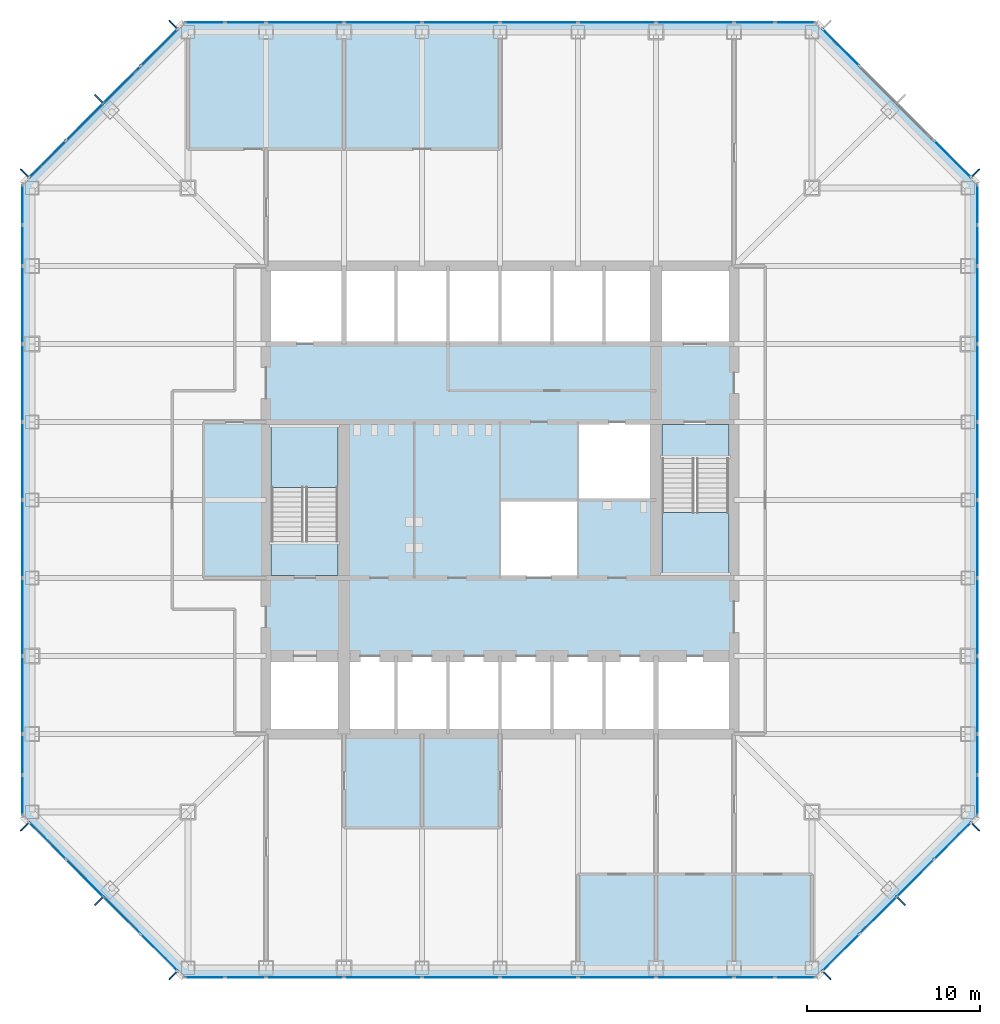
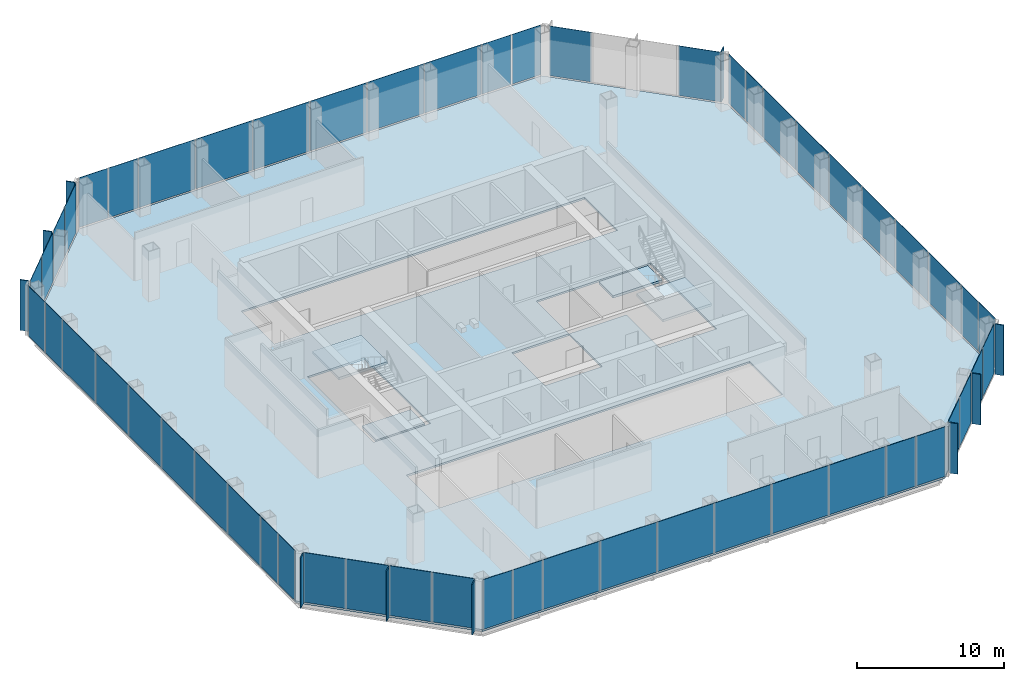
# One storey, part 7 of 12: 64 plates, 5 slabs, 10 elements without a shape of their own.
"""IFC4 building model written with IfcOpenShell, lengths in metres."""

from ifc_helpers import new_model, si_unit, direction, frame, origin, origin_2d, place, context, subcontext, project, spatial, polyline, rectangle, outline, extrude, material, layer, layer_set, type_object, element, aggregate, save


model = new_model("IFC4")

# Units and contexts
model_context = context("Model", 3, precision=1e-05, world=origin(), true_north=direction((0.0, 1.0)))
body_context = subcontext(model_context, "Body", "Model", "MODEL_VIEW")
ifc_project = project(units=[si_unit("LENGTHUNIT", "METRE"), si_unit("AREAUNIT", "SQUARE_METRE"), si_unit("VOLUMEUNIT", "CUBIC_METRE"), si_unit("PLANEANGLEUNIT", "RADIAN"), si_unit("MASSUNIT", "GRAM", prefix="KILO")], contexts=[model_context])

# Site, building, storey
site_placement = place(None, origin())
site = spatial("IfcSite", under=ifc_project, at=site_placement, CompositionType="ELEMENT")
building_placement = place(site_placement, origin())
building = spatial("IfcBuilding", under=site, at=building_placement, Name="Corais Broadcast Tower", CompositionType="ELEMENT")
storey_placement = place(building_placement, frame((0.0, 0.0, 50.0)))
storey = spatial("IfcBuildingStorey", under=building, at=storey_placement, Name="L10", CompositionType="ELEMENT", Elevation=50.0)

# Slab
ifc_material_1 = material(Name="Concrete C30/37", Category="concrete")
ifc_layer_1 = layer(ifc_material_1, 0.159912109375)
ifc_layer_set_1 = layer_set([ifc_layer_1], Name="Concrete C30/37")
slab_type_1 = type_object("IfcSlabType", Name="Composite floor slab 160", PredefinedType="FLOOR", material=ifc_layer_set_1)
slab_1_placement = place(storey_placement, frame((0.0, 0.0, -0.159912109375)))
element("IfcSlab", 1, at=slab_1_placement, inside=storey, type_object=slab_type_1, Name="S160 floor slab L10", PredefinedType="FLOOR", context=body_context, shape_type="SweptSolid", body=[
    extrude(outline(polyline([(8.80126953125, -0.47998046875), (-0.47998046875, 8.80126953125), (-0.47998046875, 45.19873046875), (8.80126953125, 54.47998046875), (45.19873046875, 54.47998046875), (54.47998046875, 45.19873046875), (54.47998046875, 8.80126953125), (45.19873046875, -0.47998046875), (8.80126953125, -0.47998046875)]), holes=[polyline([(13.5, 18.0), (40.5, 18.0), (40.5, 13.5), (13.5, 13.5), (13.5, 18.0)]), polyline([(13.5, 22.5), (13.5, 31.5), (18.0, 31.5), (18.0, 22.5), (13.5, 22.5)]), polyline([(13.5, 40.5), (40.5, 40.5), (40.5, 36.0), (13.5, 36.0), (13.5, 40.5)]), polyline([(27.0, 22.5), (27.0, 27.0), (31.4951171875, 27.0), (31.4951171875, 27.0048828125), (31.5, 27.0048828125), (31.5, 31.5), (40.5, 31.5), (40.5, 22.5), (36.0, 22.5), (36.0, 27.0), (31.5048828125, 27.0), (31.5048828125, 26.9951171875), (31.5, 26.9951171875), (31.5, 22.5), (27.0, 22.5)])]), origin(), (0.0, 0.0, 1.0), 0.159912109375),
])

# Curtain wall, plates
ifc_material_2 = material(Name="Aluminium and glass", Category="aluminium")
curtain_wall_type = type_object("IfcCurtainWallType", Name="Unitised fritted curtain wall CW1", PredefinedType="NOTDEFINED", material=ifc_material_2)
curtain_wall_1_placement = place(storey_placement, origin())
curtain_wall_1 = element("IfcCurtainWall", 2, at=curtain_wall_1_placement, inside=storey, type_object=curtain_wall_type, Name="CW1 curtain wall L10 1", PredefinedType="NOTDEFINED")
ifc_material_3 = material(Name="Ceramic-fritted laminated glass", Category="glass")
ifc_layer_2 = layer(ifc_material_3, 0.030029296875)
ifc_layer_set_2 = layer_set([ifc_layer_2], Name="Ceramic-fritted laminated glass")
plate_type_1 = type_object("IfcPlateType", Name="Fritted glass panel CW1", PredefinedType="CURTAIN_PANEL", material=ifc_layer_set_2)
plate_1_placement = place(storey_placement, frame((7.330322265625, 0.891845703125, 0.06494140625), z_axis=(0.0, 0.0, 1.0), x_axis=(-0.707106781187, 0.707106781187, 0.0)))
plate_1 = element("IfcPlate", 3, at=plate_1_placement, type_object=plate_type_1, Name="CW1 panel 1", PredefinedType="CURTAIN_PANEL", context=body_context, shape_type="SweptSolid", body=[
    extrude(rectangle(XDim=2.9482421875, YDim=0.030029296875, at=origin_2d()), origin(), (0.0, 0.0, 1.0), 4.135009765625),
])
plate_2_placement = place(storey_placement, frame((3.0341796875, 5.18798828125, 0.06494140625), z_axis=(0.0, 0.0, 1.0), x_axis=(-0.707106781187, 0.707106781187, 0.0)))
plate_2 = element("IfcPlate", 4, at=plate_2_placement, type_object=plate_type_1, Name="CW1 panel 3", PredefinedType="CURTAIN_PANEL", context=body_context, shape_type="SweptSolid", body=[
    extrude(rectangle(XDim=2.98095703125, YDim=0.030029296875, at=origin_2d()), origin(), (0.0, 0.0, 1.0), 4.135009765625),
])

curtain_wall_2_placement = place(storey_placement, origin())
curtain_wall_2 = element("IfcCurtainWall", 5, at=curtain_wall_2_placement, inside=storey, type_object=curtain_wall_type, Name="CW1 curtain wall L10 2", PredefinedType="NOTDEFINED")
plate_3_placement = place(storey_placement, frame((-0.550048828125, 9.970458984375, 0.06494140625), z_axis=(0.0, 0.0, 1.0), x_axis=(0.0, 1.0, 0.0)))
plate_3 = element("IfcPlate", 6, at=plate_3_placement, type_object=plate_type_1, Name="CW1 panel 1", PredefinedType="CURTAIN_PANEL", context=body_context, shape_type="SweptSolid", body=[
    extrude(rectangle(XDim=2.266357421875, YDim=0.030029296875, at=origin_2d()), origin(), (0.0, 0.0, 1.0), 4.135009765625),
])
plate_4_placement = place(storey_placement, frame((-0.550048828125, 15.75, 0.06494140625), z_axis=(0.0, 0.0, 1.0), x_axis=(0.0, 1.0, 0.0)))
plate_4 = element("IfcPlate", 7, at=plate_4_placement, type_object=plate_type_1, Name="CW1 panel 3", PredefinedType="CURTAIN_PANEL", context=body_context, shape_type="SweptSolid", body=[
    extrude(rectangle(XDim=4.43505859375, YDim=0.030029296875, at=origin_2d()), origin(), (0.0, 0.0, 1.0), 4.135009765625),
])
plate_5_placement = place(storey_placement, frame((-0.550048828125, 24.75, 0.06494140625), z_axis=(0.0, 0.0, 1.0), x_axis=(0.0, 1.0, 0.0)))
plate_5 = element("IfcPlate", 8, at=plate_5_placement, type_object=plate_type_1, Name="CW1 panel 5", PredefinedType="CURTAIN_PANEL", context=body_context, shape_type="SweptSolid", body=[
    extrude(rectangle(XDim=4.43505859375, YDim=0.030029296875, at=origin_2d()), origin(), (0.0, 0.0, 1.0), 4.135009765625),
])
plate_6_placement = place(storey_placement, frame((-0.550048828125, 33.75, 0.06494140625), z_axis=(0.0, 0.0, 1.0), x_axis=(0.0, 1.0, 0.0)))
plate_6 = element("IfcPlate", 9, at=plate_6_placement, type_object=plate_type_1, Name="CW1 panel 7", PredefinedType="CURTAIN_PANEL", context=body_context, shape_type="SweptSolid", body=[
    extrude(rectangle(XDim=4.43505859375, YDim=0.030029296875, at=origin_2d()), origin(), (0.0, 0.0, 1.0), 4.135009765625),
])
plate_7_placement = place(storey_placement, frame((-0.550048828125, 41.681884765625, 0.06494140625), z_axis=(0.0, 0.0, 1.0), x_axis=(0.0, 1.0, 0.0)))
plate_7 = element("IfcPlate", 10, at=plate_7_placement, type_object=plate_type_1, Name="CW1 panel 9", PredefinedType="CURTAIN_PANEL", context=body_context, shape_type="SweptSolid", body=[
    extrude(rectangle(XDim=2.298828125, YDim=0.030029296875, at=origin_2d()), origin(), (0.0, 0.0, 1.0), 4.135009765625),
])

curtain_wall_3_placement = place(storey_placement, origin())
curtain_wall_3 = element("IfcCurtainWall", 11, at=curtain_wall_3_placement, inside=storey, type_object=curtain_wall_type, Name="CW1 curtain wall L10 3", PredefinedType="NOTDEFINED")
plate_8_placement = place(storey_placement, frame((0.891845703125, 46.669677734375, 0.06494140625), z_axis=(0.0, 0.0, 1.0), x_axis=(0.707106781187, 0.707106781187, 0.0)))
plate_8 = element("IfcPlate", 12, at=plate_8_placement, type_object=plate_type_1, Name="CW1 panel 1", PredefinedType="CURTAIN_PANEL", context=body_context, shape_type="SweptSolid", body=[
    extrude(rectangle(XDim=2.9482421875, YDim=0.030029296875, at=origin_2d()), origin(), (0.0, 0.0, 1.0), 4.135009765625),
])
plate_9_placement = place(storey_placement, frame((5.18798828125, 50.9658203125, 0.06494140625), z_axis=(0.0, 0.0, 1.0), x_axis=(0.707106781187, 0.707106781187, 0.0)))
plate_9 = element("IfcPlate", 13, at=plate_9_placement, type_object=plate_type_1, Name="CW1 panel 3", PredefinedType="CURTAIN_PANEL", context=body_context, shape_type="SweptSolid", body=[
    extrude(rectangle(XDim=2.98095703125, YDim=0.030029296875, at=origin_2d()), origin(), (0.0, 0.0, 1.0), 4.135009765625),
])

curtain_wall_4_placement = place(storey_placement, origin())
curtain_wall_4 = element("IfcCurtainWall", 14, at=curtain_wall_4_placement, inside=storey, type_object=curtain_wall_type, Name="CW1 curtain wall L10 4", PredefinedType="NOTDEFINED")
plate_10_placement = place(storey_placement, frame((9.970458984375, 54.550048828125, 0.06494140625), z_axis=(0.0, 0.0, 1.0), x_axis=(1.0, 0.0, 0.0)))
plate_10 = element("IfcPlate", 15, at=plate_10_placement, type_object=plate_type_1, Name="CW1 panel 1", PredefinedType="CURTAIN_PANEL", context=body_context, shape_type="SweptSolid", body=[
    extrude(rectangle(XDim=2.266357421875, YDim=0.030029296875, at=origin_2d()), origin(), (0.0, 0.0, 1.0), 4.135009765625),
])
plate_11_placement = place(storey_placement, frame((15.75, 54.550048828125, 0.06494140625), z_axis=(0.0, 0.0, 1.0), x_axis=(1.0, 0.0, 0.0)))
plate_11 = element("IfcPlate", 16, at=plate_11_placement, type_object=plate_type_1, Name="CW1 panel 3", PredefinedType="CURTAIN_PANEL", context=body_context, shape_type="SweptSolid", body=[
    extrude(rectangle(XDim=4.43505859375, YDim=0.030029296875, at=origin_2d()), origin(), (0.0, 0.0, 1.0), 4.135009765625),
])
plate_12_placement = place(storey_placement, frame((24.75, 54.550048828125, 0.06494140625), z_axis=(0.0, 0.0, 1.0), x_axis=(1.0, 0.0, 0.0)))
plate_12 = element("IfcPlate", 17, at=plate_12_placement, type_object=plate_type_1, Name="CW1 panel 5", PredefinedType="CURTAIN_PANEL", context=body_context, shape_type="SweptSolid", body=[
    extrude(rectangle(XDim=4.43505859375, YDim=0.030029296875, at=origin_2d()), origin(), (0.0, 0.0, 1.0), 4.135009765625),
])
plate_13_placement = place(storey_placement, frame((33.75, 54.550048828125, 0.06494140625), z_axis=(0.0, 0.0, 1.0), x_axis=(1.0, 0.0, 0.0)))
plate_13 = element("IfcPlate", 18, at=plate_13_placement, type_object=plate_type_1, Name="CW1 panel 7", PredefinedType="CURTAIN_PANEL", context=body_context, shape_type="SweptSolid", body=[
    extrude(rectangle(XDim=4.43505859375, YDim=0.030029296875, at=origin_2d()), origin(), (0.0, 0.0, 1.0), 4.135009765625),
])
plate_14_placement = place(storey_placement, frame((41.681884765625, 54.550048828125, 0.06494140625), z_axis=(0.0, 0.0, 1.0), x_axis=(1.0, 0.0, 0.0)))
plate_14 = element("IfcPlate", 19, at=plate_14_placement, type_object=plate_type_1, Name="CW1 panel 9", PredefinedType="CURTAIN_PANEL", context=body_context, shape_type="SweptSolid", body=[
    extrude(rectangle(XDim=2.298828125, YDim=0.030029296875, at=origin_2d()), origin(), (0.0, 0.0, 1.0), 4.135009765625),
])

# Curtain wall, plate
curtain_wall_5_placement = place(storey_placement, origin())
curtain_wall_5 = element("IfcCurtainWall", 20, at=curtain_wall_5_placement, inside=storey, type_object=curtain_wall_type, Name="CW1 curtain wall L10 5", PredefinedType="NOTDEFINED")
plate_15_placement = place(storey_placement, frame((46.669677734375, 53.108154296875, 0.06494140625), z_axis=(0.0, 0.0, 1.0), x_axis=(0.707106781187, -0.707106781187, 0.0)))
plate_15 = element("IfcPlate", 21, at=plate_15_placement, type_object=plate_type_1, Name="CW1 panel 1", PredefinedType="CURTAIN_PANEL", context=body_context, shape_type="SweptSolid", body=[
    extrude(rectangle(XDim=2.9482421875, YDim=0.030029296875, at=origin_2d()), origin(), (0.0, 0.0, 1.0), 4.135009765625),
])

# Curtain wall, plates
curtain_wall_6_placement = place(storey_placement, origin())
curtain_wall_6 = element("IfcCurtainWall", 22, at=curtain_wall_6_placement, inside=storey, type_object=curtain_wall_type, Name="CW1 curtain wall L10 6", PredefinedType="NOTDEFINED")
plate_16_placement = place(storey_placement, frame((54.550048828125, 44.029541015625, 0.06494140625), z_axis=(0.0, 0.0, 1.0), x_axis=(0.0, -1.0, 0.0)))
plate_16 = element("IfcPlate", 23, at=plate_16_placement, type_object=plate_type_1, Name="CW1 panel 1", PredefinedType="CURTAIN_PANEL", context=body_context, shape_type="SweptSolid", body=[
    extrude(rectangle(XDim=2.266357421875, YDim=0.030029296875, at=origin_2d()), origin(), (0.0, 0.0, 1.0), 4.135009765625),
])
plate_17_placement = place(storey_placement, frame((54.550048828125, 38.25, 0.06494140625), z_axis=(0.0, 0.0, 1.0), x_axis=(0.0, -1.0, 0.0)))
plate_17 = element("IfcPlate", 24, at=plate_17_placement, type_object=plate_type_1, Name="CW1 panel 3", PredefinedType="CURTAIN_PANEL", context=body_context, shape_type="SweptSolid", body=[
    extrude(rectangle(XDim=4.43505859375, YDim=0.030029296875, at=origin_2d()), origin(), (0.0, 0.0, 1.0), 4.135009765625),
])
plate_18_placement = place(storey_placement, frame((54.550048828125, 29.25, 0.06494140625), z_axis=(0.0, 0.0, 1.0), x_axis=(0.0, -1.0, 0.0)))
plate_18 = element("IfcPlate", 25, at=plate_18_placement, type_object=plate_type_1, Name="CW1 panel 5", PredefinedType="CURTAIN_PANEL", context=body_context, shape_type="SweptSolid", body=[
    extrude(rectangle(XDim=4.43505859375, YDim=0.030029296875, at=origin_2d()), origin(), (0.0, 0.0, 1.0), 4.135009765625),
])
plate_19_placement = place(storey_placement, frame((54.550048828125, 20.25, 0.06494140625), z_axis=(0.0, 0.0, 1.0), x_axis=(0.0, -1.0, 0.0)))
plate_19 = element("IfcPlate", 26, at=plate_19_placement, type_object=plate_type_1, Name="CW1 panel 7", PredefinedType="CURTAIN_PANEL", context=body_context, shape_type="SweptSolid", body=[
    extrude(rectangle(XDim=4.43505859375, YDim=0.030029296875, at=origin_2d()), origin(), (0.0, 0.0, 1.0), 4.135009765625),
])
plate_20_placement = place(storey_placement, frame((54.550048828125, 12.318115234375, 0.06494140625), z_axis=(0.0, 0.0, 1.0), x_axis=(0.0, -1.0, 0.0)))
plate_20 = element("IfcPlate", 27, at=plate_20_placement, type_object=plate_type_1, Name="CW1 panel 9", PredefinedType="CURTAIN_PANEL", context=body_context, shape_type="SweptSolid", body=[
    extrude(rectangle(XDim=2.298828125, YDim=0.030029296875, at=origin_2d()), origin(), (0.0, 0.0, 1.0), 4.135009765625),
])

curtain_wall_7_placement = place(storey_placement, origin())
curtain_wall_7 = element("IfcCurtainWall", 28, at=curtain_wall_7_placement, inside=storey, type_object=curtain_wall_type, Name="CW1 curtain wall L10 7", PredefinedType="NOTDEFINED")
plate_21_placement = place(storey_placement, frame((53.108154296875, 7.330322265625, 0.06494140625), z_axis=(0.0, 0.0, 1.0), x_axis=(-0.707106781187, -0.707106781187, 0.0)))
plate_21 = element("IfcPlate", 29, at=plate_21_placement, type_object=plate_type_1, Name="CW1 panel 1", PredefinedType="CURTAIN_PANEL", context=body_context, shape_type="SweptSolid", body=[
    extrude(rectangle(XDim=2.9482421875, YDim=0.030029296875, at=origin_2d()), origin(), (0.0, 0.0, 1.0), 4.135009765625),
])
plate_22_placement = place(storey_placement, frame((48.81201171875, 3.0341796875, 0.06494140625), z_axis=(0.0, 0.0, 1.0), x_axis=(-0.707106781187, -0.707106781187, 0.0)))
plate_22 = element("IfcPlate", 30, at=plate_22_placement, type_object=plate_type_1, Name="CW1 panel 3", PredefinedType="CURTAIN_PANEL", context=body_context, shape_type="SweptSolid", body=[
    extrude(rectangle(XDim=2.98095703125, YDim=0.030029296875, at=origin_2d()), origin(), (0.0, 0.0, 1.0), 4.135009765625),
])

curtain_wall_8_placement = place(storey_placement, origin())
curtain_wall_8 = element("IfcCurtainWall", 31, at=curtain_wall_8_placement, inside=storey, type_object=curtain_wall_type, Name="CW1 curtain wall L10 8", PredefinedType="NOTDEFINED")
plate_23_placement = place(storey_placement, frame((44.029541015625, -0.550048828125, 0.06494140625), z_axis=(0.0, 0.0, 1.0), x_axis=(-1.0, 0.0, 0.0)))
plate_23 = element("IfcPlate", 32, at=plate_23_placement, type_object=plate_type_1, Name="CW1 panel 1", PredefinedType="CURTAIN_PANEL", context=body_context, shape_type="SweptSolid", body=[
    extrude(rectangle(XDim=2.266357421875, YDim=0.030029296875, at=origin_2d()), origin(), (0.0, 0.0, 1.0), 4.135009765625),
])
plate_24_placement = place(storey_placement, frame((38.25, -0.550048828125, 0.06494140625), z_axis=(0.0, 0.0, 1.0), x_axis=(-1.0, 0.0, 0.0)))
plate_24 = element("IfcPlate", 33, at=plate_24_placement, type_object=plate_type_1, Name="CW1 panel 3", PredefinedType="CURTAIN_PANEL", context=body_context, shape_type="SweptSolid", body=[
    extrude(rectangle(XDim=4.43505859375, YDim=0.030029296875, at=origin_2d()), origin(), (0.0, 0.0, 1.0), 4.135009765625),
])
plate_25_placement = place(storey_placement, frame((29.25, -0.550048828125, 0.06494140625), z_axis=(0.0, 0.0, 1.0), x_axis=(-1.0, 0.0, 0.0)))
plate_25 = element("IfcPlate", 34, at=plate_25_placement, type_object=plate_type_1, Name="CW1 panel 5", PredefinedType="CURTAIN_PANEL", context=body_context, shape_type="SweptSolid", body=[
    extrude(rectangle(XDim=4.43505859375, YDim=0.030029296875, at=origin_2d()), origin(), (0.0, 0.0, 1.0), 4.135009765625),
])
plate_26_placement = place(storey_placement, frame((20.25, -0.550048828125, 0.06494140625), z_axis=(0.0, 0.0, 1.0), x_axis=(-1.0, 0.0, 0.0)))
plate_26 = element("IfcPlate", 35, at=plate_26_placement, type_object=plate_type_1, Name="CW1 panel 7", PredefinedType="CURTAIN_PANEL", context=body_context, shape_type="SweptSolid", body=[
    extrude(rectangle(XDim=4.43505859375, YDim=0.030029296875, at=origin_2d()), origin(), (0.0, 0.0, 1.0), 4.135009765625),
])
plate_27_placement = place(storey_placement, frame((12.318115234375, -0.550048828125, 0.06494140625), z_axis=(0.0, 0.0, 1.0), x_axis=(-1.0, 0.0, 0.0)))
plate_27 = element("IfcPlate", 36, at=plate_27_placement, type_object=plate_type_1, Name="CW1 panel 9", PredefinedType="CURTAIN_PANEL", context=body_context, shape_type="SweptSolid", body=[
    extrude(rectangle(XDim=2.298828125, YDim=0.030029296875, at=origin_2d()), origin(), (0.0, 0.0, 1.0), 4.135009765625),
])

# Plate
ifc_material_4 = material(Name="Clear laminated glass", Category="glass")
ifc_layer_3 = layer(ifc_material_4, 0.033935546875)
ifc_layer_set_3 = layer_set([ifc_layer_3], Name="Clear laminated glass")
plate_type_2 = type_object("IfcPlateType", Name="Operable glass panel CW1", PredefinedType="CURTAIN_PANEL", material=ifc_layer_set_3)
plate_28_placement = place(storey_placement, frame((5.18798828125, 3.0341796875, 0.06494140625), z_axis=(0.0, 0.0, 1.0), x_axis=(-0.707106781187, 0.707106781187, 0.0)))
plate_28 = element("IfcPlate", 37, at=plate_28_placement, type_object=plate_type_2, Name="CW1 operable panel 2", PredefinedType="CURTAIN_PANEL", context=body_context, shape_type="SweptSolid", body=[
    extrude(rectangle(XDim=2.98095703125, YDim=0.033935546875, at=origin_2d()), origin(), (0.0, 0.0, 1.0), 4.135009765625),
])

plate_29_placement = place(storey_placement, frame((0.89208984375, 7.330322265625, 0.06494140625), z_axis=(0.0, 0.0, 1.0), x_axis=(-0.707106781187, 0.707106781187, 0.0)))
plate_29 = element("IfcPlate", 38, at=plate_29_placement, type_object=plate_type_2, Name="CW1 operable panel 4", PredefinedType="CURTAIN_PANEL", context=body_context, shape_type="SweptSolid", body=[
    extrude(rectangle(XDim=2.948486328125, YDim=0.033935546875, at=origin_2d()), origin(), (0.0, 0.0, 1.0), 4.135009765625),
])

aggregate(curtain_wall_1, [plate_1, plate_28, plate_2, plate_29])

plate_30_placement = place(storey_placement, frame((-0.550048828125, 12.318115234375, 0.06494140625), z_axis=(0.0, 0.0, 1.0), x_axis=(0.0, 1.0, 0.0)))
plate_30 = element("IfcPlate", 39, at=plate_30_placement, type_object=plate_type_2, Name="CW1 operable panel 2", PredefinedType="CURTAIN_PANEL", context=body_context, shape_type="SweptSolid", body=[
    extrude(rectangle(XDim=2.298828125, YDim=0.033935546875, at=origin_2d()), origin(), (0.0, 0.0, 1.0), 4.135009765625),
])

plate_31_placement = place(storey_placement, frame((-0.550048828125, 20.25, 0.06494140625), z_axis=(0.0, 0.0, 1.0), x_axis=(0.0, 1.0, 0.0)))
plate_31 = element("IfcPlate", 40, at=plate_31_placement, type_object=plate_type_2, Name="CW1 operable panel 4", PredefinedType="CURTAIN_PANEL", context=body_context, shape_type="SweptSolid", body=[
    extrude(rectangle(XDim=4.43505859375, YDim=0.033935546875, at=origin_2d()), origin(), (0.0, 0.0, 1.0), 4.135009765625),
])

plate_32_placement = place(storey_placement, frame((-0.550048828125, 29.25, 0.06494140625), z_axis=(0.0, 0.0, 1.0), x_axis=(0.0, 1.0, 0.0)))
plate_32 = element("IfcPlate", 41, at=plate_32_placement, type_object=plate_type_2, Name="CW1 operable panel 6", PredefinedType="CURTAIN_PANEL", context=body_context, shape_type="SweptSolid", body=[
    extrude(rectangle(XDim=4.43505859375, YDim=0.033935546875, at=origin_2d()), origin(), (0.0, 0.0, 1.0), 4.135009765625),
])

plate_33_placement = place(storey_placement, frame((-0.550048828125, 38.25, 0.06494140625), z_axis=(0.0, 0.0, 1.0), x_axis=(0.0, 1.0, 0.0)))
plate_33 = element("IfcPlate", 42, at=plate_33_placement, type_object=plate_type_2, Name="CW1 operable panel 8", PredefinedType="CURTAIN_PANEL", context=body_context, shape_type="SweptSolid", body=[
    extrude(rectangle(XDim=4.43505859375, YDim=0.033935546875, at=origin_2d()), origin(), (0.0, 0.0, 1.0), 4.135009765625),
])

plate_34_placement = place(storey_placement, frame((-0.550048828125, 44.029541015625, 0.06494140625), z_axis=(0.0, 0.0, 1.0), x_axis=(0.0, 1.0, 0.0)))
plate_34 = element("IfcPlate", 43, at=plate_34_placement, type_object=plate_type_2, Name="CW1 operable panel 10", PredefinedType="CURTAIN_PANEL", context=body_context, shape_type="SweptSolid", body=[
    extrude(rectangle(XDim=2.266357421875, YDim=0.033935546875, at=origin_2d()), origin(), (0.0, 0.0, 1.0), 4.135009765625),
])

aggregate(curtain_wall_2, [plate_3, plate_30, plate_4, plate_31, plate_5, plate_32, plate_6, plate_33, plate_7, plate_34])

plate_35_placement = place(storey_placement, frame((3.0341796875, 48.81201171875, 0.06494140625), z_axis=(0.0, 0.0, 1.0), x_axis=(0.707106781187, 0.707106781187, 0.0)))
plate_35 = element("IfcPlate", 44, at=plate_35_placement, type_object=plate_type_2, Name="CW1 operable panel 2", PredefinedType="CURTAIN_PANEL", context=body_context, shape_type="SweptSolid", body=[
    extrude(rectangle(XDim=2.98095703125, YDim=0.033935546875, at=origin_2d()), origin(), (0.0, 0.0, 1.0), 4.135009765625),
])

plate_36_placement = place(storey_placement, frame((7.330322265625, 53.10791015625, 0.06494140625), z_axis=(0.0, 0.0, 1.0), x_axis=(0.707106781187, 0.707106781187, 0.0)))
plate_36 = element("IfcPlate", 45, at=plate_36_placement, type_object=plate_type_2, Name="CW1 operable panel 4", PredefinedType="CURTAIN_PANEL", context=body_context, shape_type="SweptSolid", body=[
    extrude(rectangle(XDim=2.948486328125, YDim=0.033935546875, at=origin_2d()), origin(), (0.0, 0.0, 1.0), 4.135009765625),
])

aggregate(curtain_wall_3, [plate_8, plate_35, plate_9, plate_36])

plate_37_placement = place(storey_placement, frame((12.318115234375, 54.550048828125, 0.06494140625), z_axis=(0.0, 0.0, 1.0), x_axis=(1.0, 0.0, 0.0)))
plate_37 = element("IfcPlate", 46, at=plate_37_placement, type_object=plate_type_2, Name="CW1 operable panel 2", PredefinedType="CURTAIN_PANEL", context=body_context, shape_type="SweptSolid", body=[
    extrude(rectangle(XDim=2.298828125, YDim=0.033935546875, at=origin_2d()), origin(), (0.0, 0.0, 1.0), 4.135009765625),
])

plate_38_placement = place(storey_placement, frame((20.25, 54.550048828125, 0.06494140625), z_axis=(0.0, 0.0, 1.0), x_axis=(1.0, 0.0, 0.0)))
plate_38 = element("IfcPlate", 47, at=plate_38_placement, type_object=plate_type_2, Name="CW1 operable panel 4", PredefinedType="CURTAIN_PANEL", context=body_context, shape_type="SweptSolid", body=[
    extrude(rectangle(XDim=4.43505859375, YDim=0.033935546875, at=origin_2d()), origin(), (0.0, 0.0, 1.0), 4.135009765625),
])

plate_39_placement = place(storey_placement, frame((29.25, 54.550048828125, 0.06494140625), z_axis=(0.0, 0.0, 1.0), x_axis=(1.0, 0.0, 0.0)))
plate_39 = element("IfcPlate", 48, at=plate_39_placement, type_object=plate_type_2, Name="CW1 operable panel 6", PredefinedType="CURTAIN_PANEL", context=body_context, shape_type="SweptSolid", body=[
    extrude(rectangle(XDim=4.43505859375, YDim=0.033935546875, at=origin_2d()), origin(), (0.0, 0.0, 1.0), 4.135009765625),
])

plate_40_placement = place(storey_placement, frame((38.25, 54.550048828125, 0.06494140625), z_axis=(0.0, 0.0, 1.0), x_axis=(1.0, 0.0, 0.0)))
plate_40 = element("IfcPlate", 49, at=plate_40_placement, type_object=plate_type_2, Name="CW1 operable panel 8", PredefinedType="CURTAIN_PANEL", context=body_context, shape_type="SweptSolid", body=[
    extrude(rectangle(XDim=4.43505859375, YDim=0.033935546875, at=origin_2d()), origin(), (0.0, 0.0, 1.0), 4.135009765625),
])

plate_41_placement = place(storey_placement, frame((44.029541015625, 54.550048828125, 0.06494140625), z_axis=(0.0, 0.0, 1.0), x_axis=(1.0, 0.0, 0.0)))
plate_41 = element("IfcPlate", 50, at=plate_41_placement, type_object=plate_type_2, Name="CW1 operable panel 10", PredefinedType="CURTAIN_PANEL", context=body_context, shape_type="SweptSolid", body=[
    extrude(rectangle(XDim=2.266357421875, YDim=0.033935546875, at=origin_2d()), origin(), (0.0, 0.0, 1.0), 4.135009765625),
])

aggregate(curtain_wall_4, [plate_10, plate_37, plate_11, plate_38, plate_12, plate_39, plate_13, plate_40, plate_14, plate_41])

plate_42_placement = place(storey_placement, frame((53.10791015625, 46.669677734375, 0.06494140625), z_axis=(0.0, 0.0, 1.0), x_axis=(0.707106781187, -0.707106781187, 0.0)))
plate_42 = element("IfcPlate", 51, at=plate_42_placement, type_object=plate_type_2, Name="CW1 operable panel 4", PredefinedType="CURTAIN_PANEL", context=body_context, shape_type="SweptSolid", body=[
    extrude(rectangle(XDim=2.948486328125, YDim=0.033935546875, at=origin_2d()), origin(), (0.0, 0.0, 1.0), 4.135009765625),
])

aggregate(curtain_wall_5, [plate_15, plate_42])

plate_43_placement = place(storey_placement, frame((54.550048828125, 41.681884765625, 0.06494140625), z_axis=(0.0, 0.0, 1.0), x_axis=(0.0, -1.0, 0.0)))
plate_43 = element("IfcPlate", 52, at=plate_43_placement, type_object=plate_type_2, Name="CW1 operable panel 2", PredefinedType="CURTAIN_PANEL", context=body_context, shape_type="SweptSolid", body=[
    extrude(rectangle(XDim=2.298828125, YDim=0.033935546875, at=origin_2d()), origin(), (0.0, 0.0, 1.0), 4.135009765625),
])

plate_44_placement = place(storey_placement, frame((54.550048828125, 33.75, 0.06494140625), z_axis=(0.0, 0.0, 1.0), x_axis=(0.0, -1.0, 0.0)))
plate_44 = element("IfcPlate", 53, at=plate_44_placement, type_object=plate_type_2, Name="CW1 operable panel 4", PredefinedType="CURTAIN_PANEL", context=body_context, shape_type="SweptSolid", body=[
    extrude(rectangle(XDim=4.43505859375, YDim=0.033935546875, at=origin_2d()), origin(), (0.0, 0.0, 1.0), 4.135009765625),
])

plate_45_placement = place(storey_placement, frame((54.550048828125, 24.75, 0.06494140625), z_axis=(0.0, 0.0, 1.0), x_axis=(0.0, -1.0, 0.0)))
plate_45 = element("IfcPlate", 54, at=plate_45_placement, type_object=plate_type_2, Name="CW1 operable panel 6", PredefinedType="CURTAIN_PANEL", context=body_context, shape_type="SweptSolid", body=[
    extrude(rectangle(XDim=4.43505859375, YDim=0.033935546875, at=origin_2d()), origin(), (0.0, 0.0, 1.0), 4.135009765625),
])

plate_46_placement = place(storey_placement, frame((54.550048828125, 15.75, 0.06494140625), z_axis=(0.0, 0.0, 1.0), x_axis=(0.0, -1.0, 0.0)))
plate_46 = element("IfcPlate", 55, at=plate_46_placement, type_object=plate_type_2, Name="CW1 operable panel 8", PredefinedType="CURTAIN_PANEL", context=body_context, shape_type="SweptSolid", body=[
    extrude(rectangle(XDim=4.43505859375, YDim=0.033935546875, at=origin_2d()), origin(), (0.0, 0.0, 1.0), 4.135009765625),
])

plate_47_placement = place(storey_placement, frame((54.550048828125, 9.970458984375, 0.06494140625), z_axis=(0.0, 0.0, 1.0), x_axis=(0.0, -1.0, 0.0)))
plate_47 = element("IfcPlate", 56, at=plate_47_placement, type_object=plate_type_2, Name="CW1 operable panel 10", PredefinedType="CURTAIN_PANEL", context=body_context, shape_type="SweptSolid", body=[
    extrude(rectangle(XDim=2.266357421875, YDim=0.033935546875, at=origin_2d()), origin(), (0.0, 0.0, 1.0), 4.135009765625),
])

aggregate(curtain_wall_6, [plate_16, plate_43, plate_17, plate_44, plate_18, plate_45, plate_19, plate_46, plate_20, plate_47])

plate_48_placement = place(storey_placement, frame((50.9658203125, 5.18798828125, 0.06494140625), z_axis=(0.0, 0.0, 1.0), x_axis=(-0.707106781187, -0.707106781187, 0.0)))
plate_48 = element("IfcPlate", 57, at=plate_48_placement, type_object=plate_type_2, Name="CW1 operable panel 2", PredefinedType="CURTAIN_PANEL", context=body_context, shape_type="SweptSolid", body=[
    extrude(rectangle(XDim=2.98095703125, YDim=0.033935546875, at=origin_2d()), origin(), (0.0, 0.0, 1.0), 4.135009765625),
])

plate_49_placement = place(storey_placement, frame((46.669677734375, 0.89208984375, 0.06494140625), z_axis=(0.0, 0.0, 1.0), x_axis=(-0.707106781187, -0.707106781187, 0.0)))
plate_49 = element("IfcPlate", 58, at=plate_49_placement, type_object=plate_type_2, Name="CW1 operable panel 4", PredefinedType="CURTAIN_PANEL", context=body_context, shape_type="SweptSolid", body=[
    extrude(rectangle(XDim=2.948486328125, YDim=0.033935546875, at=origin_2d()), origin(), (0.0, 0.0, 1.0), 4.135009765625),
])

aggregate(curtain_wall_7, [plate_21, plate_48, plate_22, plate_49])

plate_50_placement = place(storey_placement, frame((41.681884765625, -0.550048828125, 0.06494140625), z_axis=(0.0, 0.0, 1.0), x_axis=(-1.0, 0.0, 0.0)))
plate_50 = element("IfcPlate", 59, at=plate_50_placement, type_object=plate_type_2, Name="CW1 operable panel 2", PredefinedType="CURTAIN_PANEL", context=body_context, shape_type="SweptSolid", body=[
    extrude(rectangle(XDim=2.298828125, YDim=0.033935546875, at=origin_2d()), origin(), (0.0, 0.0, 1.0), 4.135009765625),
])

plate_51_placement = place(storey_placement, frame((33.75, -0.550048828125, 0.06494140625), z_axis=(0.0, 0.0, 1.0), x_axis=(-1.0, 0.0, 0.0)))
plate_51 = element("IfcPlate", 60, at=plate_51_placement, type_object=plate_type_2, Name="CW1 operable panel 4", PredefinedType="CURTAIN_PANEL", context=body_context, shape_type="SweptSolid", body=[
    extrude(rectangle(XDim=4.43505859375, YDim=0.033935546875, at=origin_2d()), origin(), (0.0, 0.0, 1.0), 4.135009765625),
])

plate_52_placement = place(storey_placement, frame((24.75, -0.550048828125, 0.06494140625), z_axis=(0.0, 0.0, 1.0), x_axis=(-1.0, 0.0, 0.0)))
plate_52 = element("IfcPlate", 61, at=plate_52_placement, type_object=plate_type_2, Name="CW1 operable panel 6", PredefinedType="CURTAIN_PANEL", context=body_context, shape_type="SweptSolid", body=[
    extrude(rectangle(XDim=4.43505859375, YDim=0.033935546875, at=origin_2d()), origin(), (0.0, 0.0, 1.0), 4.135009765625),
])

plate_53_placement = place(storey_placement, frame((15.75, -0.550048828125, 0.06494140625), z_axis=(0.0, 0.0, 1.0), x_axis=(-1.0, 0.0, 0.0)))
plate_53 = element("IfcPlate", 62, at=plate_53_placement, type_object=plate_type_2, Name="CW1 operable panel 8", PredefinedType="CURTAIN_PANEL", context=body_context, shape_type="SweptSolid", body=[
    extrude(rectangle(XDim=4.43505859375, YDim=0.033935546875, at=origin_2d()), origin(), (0.0, 0.0, 1.0), 4.135009765625),
])

plate_54_placement = place(storey_placement, frame((9.970458984375, -0.550048828125, 0.06494140625), z_axis=(0.0, 0.0, 1.0), x_axis=(-1.0, 0.0, 0.0)))
plate_54 = element("IfcPlate", 63, at=plate_54_placement, type_object=plate_type_2, Name="CW1 operable panel 10", PredefinedType="CURTAIN_PANEL", context=body_context, shape_type="SweptSolid", body=[
    extrude(rectangle(XDim=2.266357421875, YDim=0.033935546875, at=origin_2d()), origin(), (0.0, 0.0, 1.0), 4.135009765625),
])

aggregate(curtain_wall_8, [plate_23, plate_50, plate_24, plate_51, plate_25, plate_52, plate_26, plate_53, plate_27, plate_54])

# Stair, slabs
ifc_material_5 = material(Name="Concrete C30/37", Category="concrete")
stair_type = type_object("IfcStairType", Name="Half-turn stair 4200", PredefinedType="HALF_TURN_STAIR", material=ifc_material_5)
stair_1_placement = place(storey_placement, origin())
stair_1 = element("IfcStair", 64, at=stair_1_placement, inside=storey, type_object=stair_type, Name="Stair A L10", PredefinedType="HALF_TURN_STAIR")
ifc_material_6 = material(Name="Concrete C30/37", Category="concrete")
ifc_layer_4 = layer(ifc_material_6, 0.199951171875)
ifc_layer_set_4 = layer_set([ifc_layer_4], Name="Concrete C30/37")
slab_type_2 = type_object("IfcSlabType", Name="Stair landing 200", PredefinedType="LANDING", material=ifc_layer_set_4)
slab_2_placement = place(storey_placement, frame((0.0, 0.0, -0.199951171875)))
slab_2 = element("IfcSlab", 65, at=slab_2_placement, type_object=slab_type_2, Name="STA landing 1", PredefinedType="LANDING", context=body_context, shape_type="SweptSolid", body=[
    extrude(outline(polyline([(13.800048828125, 22.64990234375), (17.64990234375, 22.64990234375), (17.64990234375, 24.60009765625), (13.800048828125, 24.60009765625), (13.800048828125, 22.64990234375)])), origin(), (0.0, 0.0, 1.0), 0.199951171875),
])
slab_3_placement = place(storey_placement, frame((0.0, 0.0, 1.89990234375)))
slab_3 = element("IfcSlab", 66, at=slab_3_placement, type_object=slab_type_2, Name="STA landing 2", PredefinedType="LANDING", context=body_context, shape_type="SweptSolid", body=[
    extrude(outline(polyline([(13.800048828125, 27.735107421875), (17.64990234375, 27.735107421875), (17.64990234375, 31.35009765625), (13.800048828125, 31.35009765625), (13.800048828125, 27.735107421875)])), origin(), (0.0, 0.0, 1.0), 0.2001953125),
])
aggregate(stair_1, [slab_2, slab_3])

stair_2_placement = place(storey_placement, origin())
stair_2 = element("IfcStair", 67, at=stair_2_placement, inside=storey, type_object=stair_type, Name="Stair B L10", PredefinedType="HALF_TURN_STAIR")
slab_4_placement = place(storey_placement, frame((0.0, 0.0, -0.199951171875)))
slab_4 = element("IfcSlab", 68, at=slab_4_placement, type_object=slab_type_2, Name="STB landing 1", PredefinedType="LANDING", context=body_context, shape_type="SweptSolid", body=[
    extrude(outline(polyline([(36.35009765625, 29.39990234375), (40.199951171875, 29.39990234375), (40.199951171875, 31.35009765625), (36.35009765625, 31.35009765625), (36.35009765625, 29.39990234375)])), origin(), (0.0, 0.0, 1.0), 0.199951171875),
])
slab_5_placement = place(storey_placement, frame((0.0, 0.0, 1.89990234375)))
slab_5 = element("IfcSlab", 69, at=slab_5_placement, type_object=slab_type_2, Name="STB landing 2", PredefinedType="LANDING", context=body_context, shape_type="SweptSolid", body=[
    extrude(outline(polyline([(36.35009765625, 22.64990234375), (40.199951171875, 22.64990234375), (40.199951171875, 26.264892578125), (36.35009765625, 26.264892578125), (36.35009765625, 22.64990234375)])), origin(), (0.0, 0.0, 1.0), 0.2001953125),
])
aggregate(stair_2, [slab_4, slab_5])

# Plates
ifc_material_7 = material(Name="Granite stone cladding", Category="masonry")
ifc_layer_5 = layer(ifc_material_7, 0.080078125)
ifc_layer_set_5 = layer_set([ifc_layer_5], Name="Granite stone cladding")
plate_type_3 = type_object("IfcPlateType", Name="Stone screen fin 80x600", PredefinedType="USERDEFINED", material=ifc_layer_set_5)
for number, where, z_axis, x_axis, name in (
    (70, (8.114990234375, -0.4541015625, 0.0), (0.0, 0.0, 1.0), (-0.707106781187, 0.707106781187, 0.0), "SF1 stone screen fin L10"),
    (71, (3.830322265625, 3.830322265625, 0.0), (0.0, 0.0, 1.0), (-0.707106781187, 0.707106781187, 0.0), "SF1 stone screen fin L10"),
    (72, (-0.4541015625, 8.114990234375, 0.0), (0.0, 0.0, 1.0), (-0.707106781187, 0.707106781187, 0.0), "SF1 stone screen fin L10"),
    (73, (-0.4541015625, 45.885009765625, 0.0), (0.0, 0.0, 1.0), (0.707106781187, 0.707106781187, 0.0), "SF1 stone screen fin L10"),
    (74, (3.830322265625, 50.169677734375, 0.0), (0.0, 0.0, 1.0), (0.707106781187, 0.707106781187, 0.0), "SF1 stone screen fin L10"),
    (75, (8.114990234375, 54.4541015625, 0.0), (0.0, 0.0, 1.0), (0.707106781187, 0.707106781187, 0.0), "SF1 stone screen fin L10"),
    (76, (54.4541015625, 45.885009765625, 0.0), (0.0, 0.0, 1.0), (0.707106781187, -0.707106781187, 0.0), "SF1 stone screen fin L10"),
    (77, (54.4541015625, 8.114990234375, 0.0), (0.0, 0.0, 1.0), (-0.707106781187, -0.707106781187, 0.0), "SF1 stone screen fin L10"),
    (78, (50.169677734375, 3.830322265625, 0.0), (0.0, 0.0, 1.0), (-0.707106781187, -0.707106781187, 0.0), "SF1 stone screen fin L10"),
    (79, (45.885009765625, -0.4541015625, 0.0), (0.0, 0.0, 1.0), (-0.707106781187, -0.707106781187, 0.0), "SF1 stone screen fin L10"),
):
    element("IfcPlate", number, at=place(storey_placement, frame(where, z_axis=z_axis, x_axis=x_axis)), inside=storey, type_object=plate_type_3, Name=name, ObjectType="STONE SCREEN FIN", PredefinedType="USERDEFINED", context=body_context, shape_type="SweptSolid", body=[
        extrude(rectangle(XDim=0.080078125, YDim=0.60009765625, at=origin_2d()), origin(), (0.0, 0.0, 1.0), 4.199951171875),
    ])

save(model, "model.ifc")
